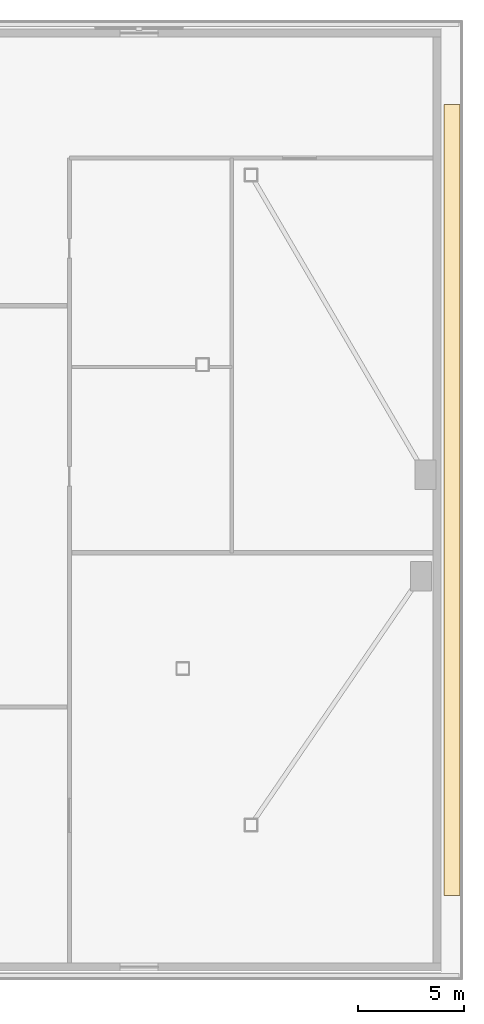
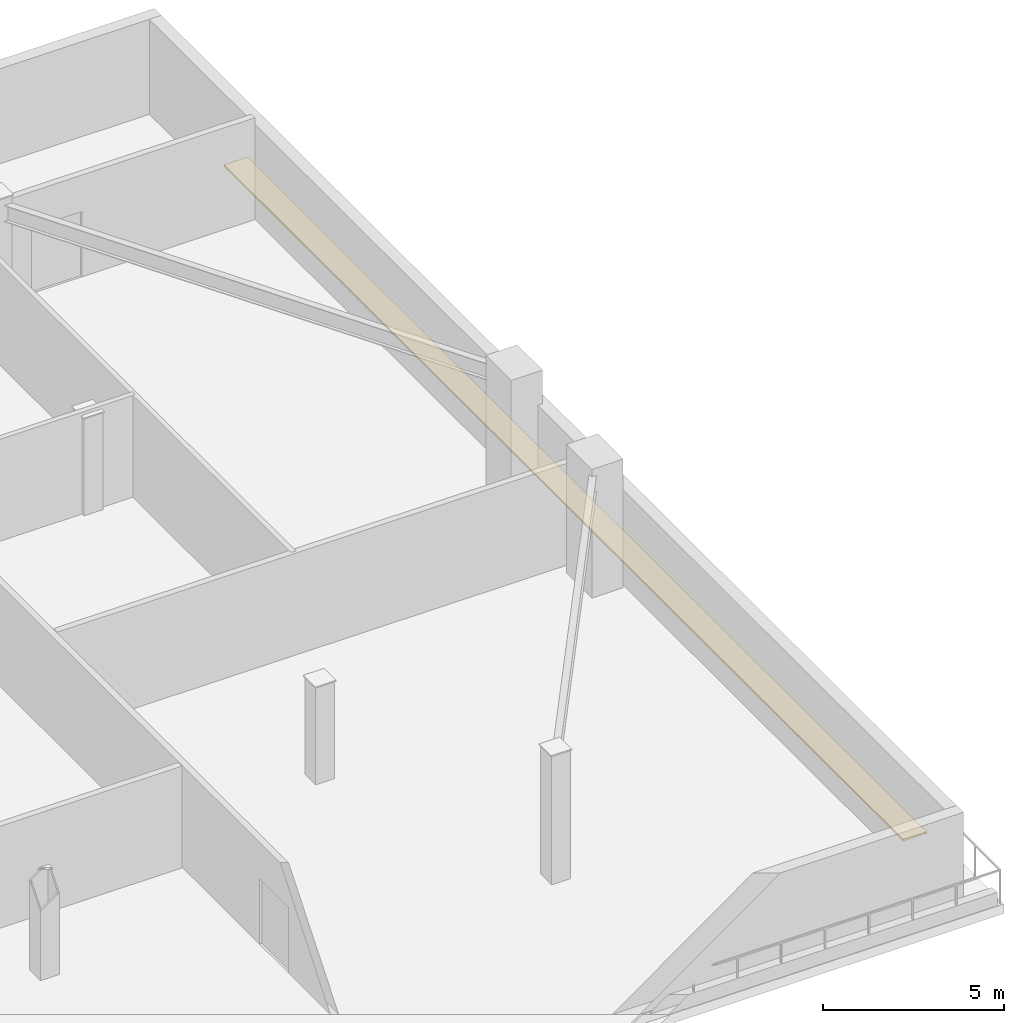
# One storey, part 16 of 16: 1 covering.
"""IFC4 building model written with IfcOpenShell, lengths in metres."""

import ifcopenshell
import ifcopenshell.guid

model = None  # the IFC model being written
_history = None  # IfcOwnerHistory: only IFC2X3 demands one
_inside = {}  # id of a spatial element -> (the spatial element, [elements in it])
_under = {}  # id of a project, library or spatial element -> (it, [spatial elements below it])
_declared = {}  # id of a project -> (the project, [libraries it declares])
_typed = {}  # id of a type object -> (the type object, [elements of that type])
_made_of = {}  # id of a material, layer set ... -> (it, [elements and type objects made of it])


def new_model(schema):
    """Start an empty IFC model of exactly this schema.

    Asked for "IFC4X3", IfcOpenShell would pick the latest addendum, in which some entities
    have other attributes; the version numbers below select the first issue.
    IFC2X3 requires an IfcOwnerHistory on every rooted entity: one is made here for all.
    """
    global model, _history
    if schema == "IFC4X3":
        model = ifcopenshell.file(schema_version=(4, 3, 0, 0))
    else:
        model = ifcopenshell.file(schema=schema)
    _inside.clear()
    _under.clear()
    _declared.clear()
    _typed.clear()
    _made_of.clear()
    _history = None
    if model.schema == "IFC2X3":
        org = make("IfcOrganization", Name="unknown")
        user = make(
            "IfcPersonAndOrganization",
            ThePerson=make("IfcPerson", FamilyName="unknown"),
            TheOrganization=org,
        )
        app = make(
            "IfcApplication",
            ApplicationDeveloper=org,
            Version="unknown",
            ApplicationFullName="unknown",
            ApplicationIdentifier="unknown",
        )
        _history = make(
            "IfcOwnerHistory",
            OwningUser=user,
            OwningApplication=app,
            ChangeAction="ADDED",
            CreationDate=0,
        )
    return model


def make(cls, **values):
    """One entity of the class cls with the attributes given. An attribute that is None is left unset."""
    return model.create_entity(
        cls, **{name: value for name, value in values.items() if value is not None}
    )


def rooted(cls, **values):
    """An entity with a GlobalId (a new one), such as an element, a storey or a relation."""
    return make(cls, GlobalId=ifcopenshell.guid.new(), OwnerHistory=_history, **values)


def si_unit(unit_type, name, prefix=None):
    """IfcSIUnit, for example si_unit("LENGTHUNIT", "METRE", prefix="MILLI")."""
    return make("IfcSIUnit", UnitType=unit_type, Prefix=prefix, Name=name)


def assignment(units):
    """IfcUnitAssignment: the units of a project."""
    return None if units is None else make("IfcUnitAssignment", Units=units)


def point(xyz):
    """IfcCartesianPoint."""
    return None if xyz is None else make("IfcCartesianPoint", Coordinates=xyz)


def direction(xyz):
    """IfcDirection."""
    return None if xyz is None else make("IfcDirection", DirectionRatios=xyz)


def frame(location, z_axis=None, x_axis=None):
    """IfcAxis2Placement3D, a coordinate frame: its origin and axes. An axis left out is left unset."""
    return make(
        "IfcAxis2Placement3D",
        Location=point(location),
        Axis=direction(z_axis),
        RefDirection=direction(x_axis),
    )


def origin():
    """The frame at (0, 0, 0) with its axes left unset."""
    return frame((0.0, 0.0, 0.0))


def place(relative_to, where):
    """IfcLocalPlacement: puts the frame where relative to a parent placement (None: the world)."""
    return make(
        "IfcLocalPlacement", PlacementRelTo=relative_to, RelativePlacement=where
    )


def context(
    kind, dimensions, precision=None, world=None, true_north=None, identifier=None
):
    """IfcGeometricRepresentationContext, for example the 3D "Model" context."""
    return make(
        "IfcGeometricRepresentationContext",
        ContextIdentifier=identifier,
        ContextType=kind,
        CoordinateSpaceDimension=dimensions,
        Precision=precision,
        WorldCoordinateSystem=world,
        TrueNorth=true_north,
    )


def subcontext(parent, identifier, kind, view, scale=None):
    """IfcGeometricRepresentationSubContext, for example "Body" below "Model"."""
    return make(
        "IfcGeometricRepresentationSubContext",
        ContextIdentifier=identifier,
        ContextType=kind,
        ParentContext=parent,
        TargetScale=scale,
        TargetView=view,
    )


def project(units=None, contexts=None):
    """IfcProject with its units and contexts."""
    return rooted(
        "IfcProject",
        Name="project",
        RepresentationContexts=contexts,
        UnitsInContext=assignment(units),
    )


def spatial(cls, under=None, at=None, **own):
    """A site, building, storey or space (cls), placed at a placement, below another one or the project."""
    s = rooted(cls, ObjectPlacement=at, **own)
    if under is not None:
        _under.setdefault(under.id(), (under, []))[1].append(s)
    return s


def polyline(points):
    """IfcPolyline through the points."""
    return make("IfcPolyline", Points=[point(p) for p in points])


def outline(outer, holes=None, kind="AREA"):
    """IfcArbitraryClosedProfileDef: a profile drawn as a closed curve; with holes, ...WithVoids."""
    if holes is None:
        return make("IfcArbitraryClosedProfileDef", ProfileType=kind, OuterCurve=outer)
    return make(
        "IfcArbitraryProfileDefWithVoids",
        ProfileType=kind,
        OuterCurve=outer,
        InnerCurves=holes,
    )


def extrude(swept, where, along, depth):
    """IfcExtrudedAreaSolid: the profile swept, set in the frame where, extruded along a direction by depth."""
    return make(
        "IfcExtrudedAreaSolid",
        SweptArea=swept,
        Position=where,
        ExtrudedDirection=direction(along),
        Depth=depth,
    )


def shape(context_of_items, identifier, shape_type, items):
    """IfcShapeRepresentation: the items that make up one representation, for example the "Body"."""
    return make(
        "IfcShapeRepresentation",
        ContextOfItems=context_of_items,
        RepresentationIdentifier=identifier,
        RepresentationType=shape_type,
        Items=items,
    )


def material(Name=None, Category=None):
    """IfcMaterial."""
    return make("IfcMaterial", Name=Name, Category=Category)


def layer(
    of_material, thickness, ventilated=None, Name=None, Category=None, Priority=None
):
    """IfcMaterialLayer: one layer of a wall or slab, of a material (None: an air gap)."""
    return make(
        "IfcMaterialLayer",
        Material=of_material,
        LayerThickness=thickness,
        IsVentilated=ventilated,
        Name=Name,
        Category=Category,
        Priority=Priority,
    )


def layer_set(layers, Name=None):
    """IfcMaterialLayerSet."""
    return make("IfcMaterialLayerSet", MaterialLayers=layers, LayerSetName=Name)


def made_of(thing, what):
    """Note that an element or type object is made of a material, layer set ...; save() writes the relation."""
    if what is not None:
        _made_of.setdefault(what.id(), (what, []))[1].append(thing)
    return thing


def type_object(cls, material=None, **own):
    """A type object (cls), such as IfcWallType, which elements share."""
    return made_of(rooted(cls, **own), material)


def element(
    cls,
    number,
    at=None,
    inside=None,
    cuts=None,
    type_object=None,
    material=None,
    context=None,
    identifier="Body",
    shape_type=None,
    held_by="IfcProductDefinitionShape",
    body=None,
    shapes=None,
    **own,
):
    """One element of the class cls, such as IfcWall. Its Tag is "e" and its number.

    at: its placement. inside: the storey or other place that contains it. cuts: it is an
    opening in that element (IfcRelVoidsElement). A single representation is given by context,
    identifier, shape_type and body (its items); several are given by shapes. held_by: the class
    of the entity that holds the representations. save() writes the other relations.
    """
    e = rooted(cls, Tag="e%d" % number, ObjectPlacement=at, **own)
    if body is not None:
        shapes = [shape(context, identifier, shape_type, body)]
    if shapes is not None:
        e.Representation = make(held_by, Representations=shapes)
    if inside is not None:
        _inside.setdefault(inside.id(), (inside, []))[1].append(e)
    if cuts is not None:
        rooted(
            "IfcRelVoidsElement", RelatingBuildingElement=cuts, RelatedOpeningElement=e
        )
    if type_object is not None:
        _typed.setdefault(type_object.id(), (type_object, []))[1].append(e)
    return made_of(e, material)


def aggregate(whole, parts):
    """IfcRelAggregates: a whole, such as a stair, and the parts it consists of."""
    return rooted("IfcRelAggregates", RelatingObject=whole, RelatedObjects=parts)


def save(model, path):
    """Write the relations noted so far, then the file.

    IfcRelAggregates (storeys below a building ...), IfcRelContainedInSpatialStructure (elements
    in a storey), IfcRelDefinesByType, IfcRelAssociatesMaterial and IfcRelDeclares: one each for
    every whole, place, type object, material and project.
    """
    for whole, parts in _under.values():
        aggregate(whole, parts)
    for where, things in _inside.values():
        rooted(
            "IfcRelContainedInSpatialStructure",
            RelatedElements=things,
            RelatingStructure=where,
        )
    for kind, things in _typed.values():
        rooted("IfcRelDefinesByType", RelatedObjects=things, RelatingType=kind)
    for what, things in _made_of.values():
        rooted("IfcRelAssociatesMaterial", RelatedObjects=things, RelatingMaterial=what)
    for by, libraries in _declared.values():
        rooted("IfcRelDeclares", RelatingContext=by, RelatedDefinitions=libraries)
    model.write(path)


model = new_model("IFC4")

# Units and contexts
model_context = context("Model", 3, precision=1e-05, world=origin(), true_north=direction((0.0, 1.0)))
body_context = subcontext(model_context, "Body", "Model", "MODEL_VIEW")
ifc_project = project(units=[si_unit("LENGTHUNIT", "METRE"), si_unit("AREAUNIT", "SQUARE_METRE"), si_unit("VOLUMEUNIT", "CUBIC_METRE"), si_unit("PLANEANGLEUNIT", "RADIAN"), si_unit("MASSUNIT", "GRAM", prefix="KILO")], contexts=[model_context])

# Site, building, storey
site_placement = place(None, origin())
site = spatial("IfcSite", under=ifc_project, at=site_placement, CompositionType="ELEMENT")
building_placement = place(site_placement, origin())
building = spatial("IfcBuilding", under=site, at=building_placement, Name="Olszyna Solenne Hotel", CompositionType="ELEMENT")
storey_placement = place(building_placement, frame((0.0, 0.0, 20.10009765625)))
storey = spatial("IfcBuildingStorey", under=building, at=storey_placement, Name="L04", CompositionType="ELEMENT", Elevation=20.10009765625)

# Covering
ifc_material = material(Name="EPDM waterproofing membrane")
ifc_layer = layer(ifc_material, 0.06005859375, Name="EPDM waterproofing membrane")
ifc_layer_set = layer_set([ifc_layer], Name="EPDM waterproofing membrane")
covering_type = type_object("IfcCoveringType", Name="RF-MB1", PredefinedType="ROOFING", material=ifc_layer_set)
covering_placement = place(storey_placement, origin())
element("IfcCovering", 1, at=covering_placement, inside=storey, type_object=covering_type, Name="Terrace waterproofing membrane build-up RFM-L04", PredefinedType="ROOFING", context=body_context, shape_type="SweptSolid", body=[
    extrude(outline(polyline([(69.949951171875, 7.860107421875), (70.699951171875, 7.860107421875), (70.699951171875, 45.340087890625), (69.949951171875, 45.340087890625), (69.949951171875, 7.860107421875)])), origin(), (0.0, 0.0, 1.0), 0.059814453125),
])

save(model, "model.ifc")
